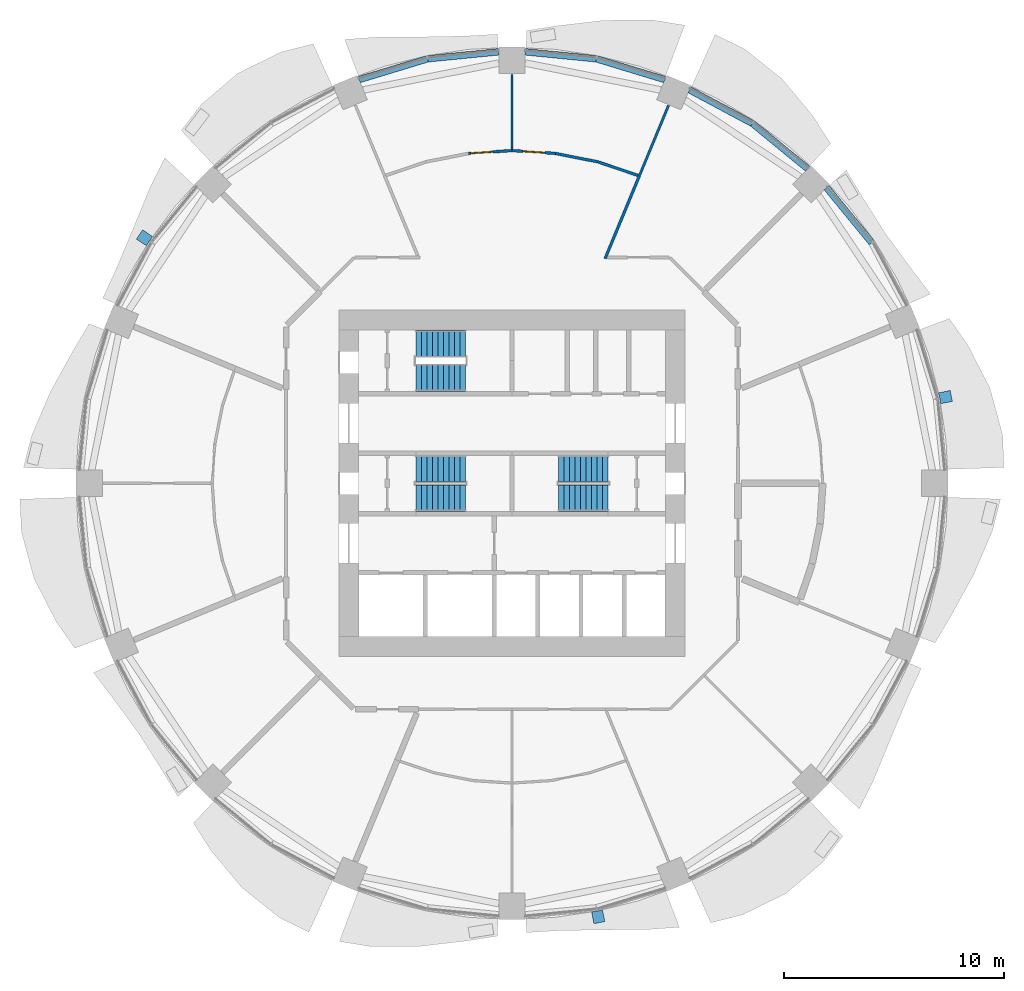
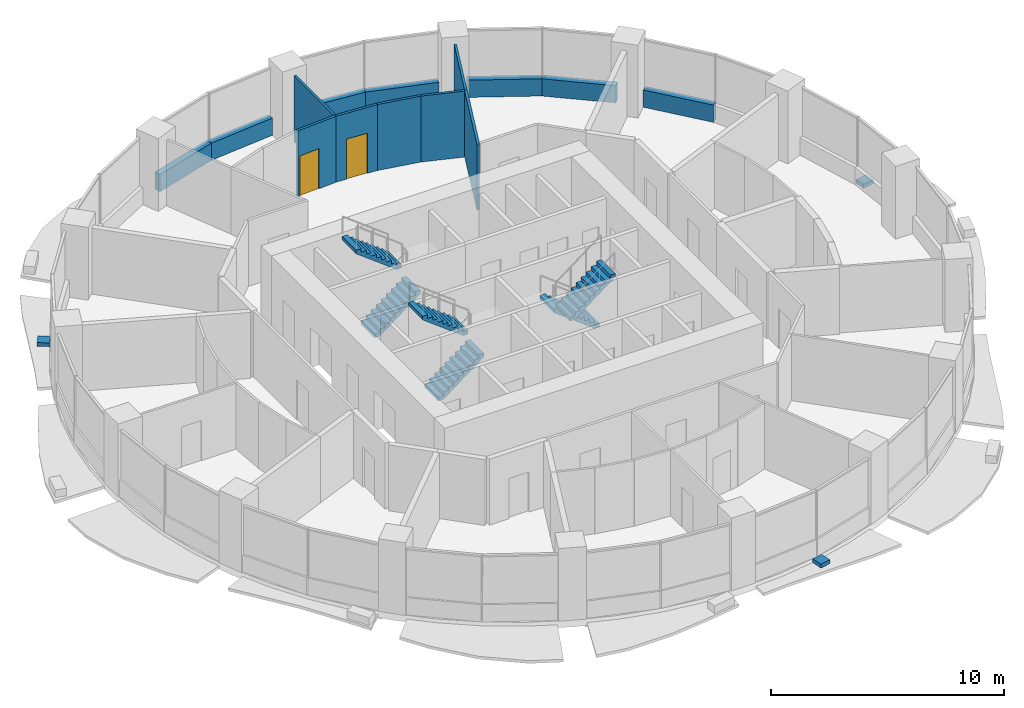
# One storey, part 11 of 15: 14 walls, 6 stair flights, 3 discrete accessories, 2 doors, 2 openings, 3 elements without a shape of their own.
"""IFC4 building model written with IfcOpenShell, lengths in metres."""

from ifc_helpers import new_model, si_unit, direction, frame, frame_2d, origin, place, context, subcontext, project, spatial, polyline, rectangle, outline, extrude, material, layer, layer_set, type_object, element, fill, aggregate, save


model = new_model("IFC4")

# Units and contexts
model_context = context("Model", 3, precision=1e-05, world=origin(), true_north=direction((0.0, 1.0)))
body_context = subcontext(model_context, "Body", "Model", "MODEL_VIEW")
ifc_project = project(units=[si_unit("LENGTHUNIT", "METRE"), si_unit("AREAUNIT", "SQUARE_METRE"), si_unit("VOLUMEUNIT", "CUBIC_METRE"), si_unit("PLANEANGLEUNIT", "RADIAN"), si_unit("MASSUNIT", "GRAM", prefix="KILO")], contexts=[model_context])

# Site, building, storey
site_placement = place(None, origin())
site = spatial("IfcSite", under=ifc_project, at=site_placement, CompositionType="ELEMENT")
building_placement = place(site_placement, origin())
building = spatial("IfcBuilding", under=site, at=building_placement, Name="Polderwave Tower", CompositionType="ELEMENT")
storey_placement = place(building_placement, frame((0.0, 0.0, 22.39990234375)))
storey = spatial("IfcBuildingStorey", under=building, at=storey_placement, Name="L05", CompositionType="ELEMENT", Elevation=22.39990234375)

# Walls
ifc_material_1 = material(Name="Concrete C50/60 (board-marked)", Category="concrete")
ifc_layer_1 = layer(ifc_material_1, 0.300048828125)
ifc_layer_set_1 = layer_set([ifc_layer_1], Name="Concrete spandrel upstand C50/60")
wall_type_1 = type_object("IfcWallType", Name="Concrete spandrel upstand C50/60", PredefinedType="SOLIDWALL", material=ifc_layer_set_1)
for number, where, z_axis, x_axis, name in (
    (1, (16.353515625, 10.944580078125, 0.0), (0.0, 0.0, 1.0), (-0.634098591004, 0.773252207812, 0.0), "Spandrel L05 2b"),
    (2, (13.439453125, 14.3076171875, 0.0), (0.0, 0.0, 1.0), (-0.773252207812, 0.634098591004, 0.0), "Spandrel L05 3a"),
    (3, (10.919921875, 16.3701171875, 0.0), (0.0, 0.0, 1.0), (-0.881960953585, 0.471322475968, 0.0), "Spandrel L05 3b"),
):
    element("IfcWall", number, at=place(storey_placement, frame(where, z_axis=z_axis, x_axis=x_axis)), inside=storey, type_object=wall_type_1, Name=name, PredefinedType="SOLIDWALL", context=body_context, shape_type="SweptSolid", body=[
        extrude(rectangle(XDim=3.2265625, YDim=0.300048828125, at=frame_2d((1.61328125, 0.0))), origin(), (0.0, 0.0, 1.0), 0.900146484375),
    ])
wall_1_placement = place(storey_placement, frame((6.940673828125, 18.3603515625, 0.0), z_axis=(0.0, 0.0, 1.0), x_axis=(-0.95687343998, 0.290505111592, 0.0)))
element("IfcWall", 4, at=wall_1_placement, inside=storey, type_object=wall_type_1, Name="Spandrel L05 4a", PredefinedType="SOLIDWALL", context=body_context, shape_type="SweptSolid", body=[
    extrude(rectangle(XDim=3.226318359375, YDim=0.300048828125, at=frame_2d((1.61328125, 0.0))), origin(), (0.0, 0.0, 1.0), 0.900146484375),
])
for number, where, z_axis, x_axis, name in (
    (5, (3.82421875, 19.303466796875, 0.0), (0.0, 0.0, 1.0), (-0.995196202537, 0.097900553906, 0.0), "Spandrel L05 4b"),
    (6, (-0.61279296875, 19.619384765625, 0.0), (0.0, 0.0, 1.0), (-0.995196202537, -0.097900553906, 0.0), "Spandrel L05 5a"),
):
    element("IfcWall", number, at=place(storey_placement, frame(where, z_axis=z_axis, x_axis=x_axis)), inside=storey, type_object=wall_type_1, Name=name, PredefinedType="SOLIDWALL", context=body_context, shape_type="SweptSolid", body=[
        extrude(rectangle(XDim=3.226806640625, YDim=0.300048828125, at=frame_2d((1.61328125, 0.0))), origin(), (0.0, 0.0, 1.0), 0.900146484375),
    ])
wall_2_placement = place(storey_placement, frame((-3.853515625, 19.297607421875, 0.0), z_axis=(0.0, 0.0, 1.0), x_axis=(-0.95687343998, -0.290505111592, 0.0)))
element("IfcWall", 7, at=wall_2_placement, inside=storey, type_object=wall_type_1, Name="Spandrel L05 5b", PredefinedType="SOLIDWALL", context=body_context, shape_type="SweptSolid", body=[
    extrude(rectangle(XDim=3.226318359375, YDim=0.300048828125, at=frame_2d((1.61328125, 0.0))), origin(), (0.0, 0.0, 1.0), 0.900146484375),
])
ifc_material_2 = material(Name="Fire-resisting board on steel studs", Category="steel")
ifc_layer_2 = layer(ifc_material_2, 0.125)
ifc_layer_set_2 = layer_set([ifc_layer_2], Name="Corridor wall 125 mm EI 60")
wall_type_2 = type_object("IfcWallType", Name="Corridor wall 125 mm EI 60", PredefinedType="PARTITIONING", material=ifc_layer_set_2)
wall_3_placement = place(storey_placement, frame((4.231689453125, 10.21630859375, 0.0), z_axis=(0.0, 0.0, 1.0), x_axis=(0.382703043877, 0.923871408913, 0.0)))
element("IfcWall", 8, at=wall_3_placement, inside=storey, type_object=wall_type_2, Name="IN-L05-W034", PredefinedType="PARTITIONING", context=body_context, shape_type="SweptSolid", body=[
    extrude(rectangle(XDim=4.072021484375, YDim=0.125, at=frame_2d((2.0361328125, 0.0))), origin(), (0.0, 0.0, 1.0), 3.4501953125),
])

# Wall, opening, door
wall_4_placement = place(storey_placement, frame((0.0, 15.1298828125, 0.0), z_axis=(0.0, 0.0, 1.0), x_axis=(0.997867521669, -0.065271810139, 0.0)))
wall_4 = element("IfcWall", 9, at=wall_4_placement, inside=storey, type_object=wall_type_2, Name="IN-L05-W035", PredefinedType="PARTITIONING", context=body_context, shape_type="SweptSolid", body=[
    extrude(rectangle(XDim=1.974853515625, YDim=0.125, at=frame_2d((0.9873046875, 0.0))), origin(), (0.0, 0.0, 1.0), 3.4501953125),
])
opening_1_placement = place(wall_4_placement, frame((0.5, 0.0, 0.0)))
opening_1 = element("IfcOpeningElement", 10, at=opening_1_placement, cuts=wall_4, Name="Opening L05-D64", PredefinedType="OPENING", context=body_context, shape_type="SweptSolid", body=[
    extrude(rectangle(XDim=1.0, YDim=2.10009765625, at=frame_2d((0.5, 1.050048828125))), frame((0.0, 0.072509765625, 0.0), z_axis=(0.0, -1.0, 0.0), x_axis=(1.0, 0.0, 0.0)), (0.0, 0.0, 1.0), 0.14501953125),
])
ifc_material_3 = material(Name="Timber fire door leaf", Category="wood")
door_type = type_object("IfcDoorType", Name="Fire door FD30S 1000 x 2100", OperationType="NOTDEFINED", PredefinedType="DOOR", material=ifc_material_3)
door_1_placement = place(opening_1_placement, origin())
door_1 = element("IfcDoor", 11, at=door_1_placement, inside=storey, type_object=door_type, Name="Door L05-D64", OperationType="SINGLE_SWING_RIGHT", OverallHeight=2.10009765625, OverallWidth=1.0, PredefinedType="DOOR", context=body_context, shape_type="SweptSolid", body=[
    extrude(rectangle(XDim=1.0, YDim=2.10009765625, at=frame_2d((0.5, 1.050048828125))), frame((0.0, 0.02490234375, 0.0), z_axis=(0.0, -1.0, 0.0), x_axis=(1.0, 0.0, 0.0)), (0.0, 0.0, 1.0), 0.050048828125),
])
fill(opening_1, door_1)

# Walls
wall_5_placement = place(storey_placement, frame((3.911865234375, 14.615234375, 0.0), z_axis=(0.0, 0.0, 1.0), x_axis=(-0.980780283586, 0.195115441032, 0.0)))
element("IfcWall", 12, at=wall_5_placement, inside=storey, type_object=wall_type_2, Name="IN-L05-W036", PredefinedType="PARTITIONING", context=body_context, shape_type="SweptSolid", body=[
    extrude(rectangle(XDim=1.970703125, YDim=0.125, at=frame_2d((0.9853515625, 0.0))), origin(), (0.0, 0.0, 1.0), 3.4501953125),
])
wall_6_placement = place(storey_placement, frame((5.726806640625, 13.999755859375, 0.0), z_axis=(0.0, 0.0, 1.0), x_axis=(-0.946902903594, 0.321519659064, 0.0)))
element("IfcWall", 13, at=wall_6_placement, inside=storey, type_object=wall_type_2, Name="IN-L05-W037", PredefinedType="PARTITIONING", context=body_context, shape_type="SweptSolid", body=[
    extrude(rectangle(XDim=1.908203125, YDim=0.125, at=frame_2d((0.9541015625, 0.0))), origin(), (0.0, 0.0, 1.0), 3.4501953125),
])

# Wall, opening, door
wall_7_placement = place(storey_placement, frame((-1.970703125, 15.0009765625, 0.0), z_axis=(0.0, 0.0, 1.0), x_axis=(0.997867521669, 0.065271810139, 0.0)))
wall_7 = element("IfcWall", 14, at=wall_7_placement, inside=storey, type_object=wall_type_2, Name="IN-L05-W041", PredefinedType="PARTITIONING", context=body_context, shape_type="SweptSolid", body=[
    extrude(rectangle(XDim=1.974853515625, YDim=0.125, at=frame_2d((0.9873046875, 0.0))), origin(), (0.0, 0.0, 1.0), 3.4501953125),
])
opening_2_placement = place(wall_7_placement, frame((0.10009765625, 0.0, 0.0)))
opening_2 = element("IfcOpeningElement", 15, at=opening_2_placement, cuts=wall_7, Name="Opening L05-D65", PredefinedType="OPENING", context=body_context, shape_type="SweptSolid", body=[
    extrude(rectangle(XDim=1.0, YDim=2.10009765625, at=frame_2d((0.5, 1.050048828125))), frame((0.0, 0.072509765625, 0.0), z_axis=(0.0, -1.0, 0.0), x_axis=(1.0, 0.0, 0.0)), (0.0, 0.0, 1.0), 0.14501953125),
])
door_2_placement = place(opening_2_placement, origin())
door_2 = element("IfcDoor", 16, at=door_2_placement, inside=storey, type_object=door_type, Name="Door L05-D65", OperationType="SINGLE_SWING_LEFT", OverallHeight=2.10009765625, OverallWidth=1.0, PredefinedType="DOOR", context=body_context, shape_type="SweptSolid", body=[
    extrude(rectangle(XDim=1.0, YDim=2.10009765625, at=frame_2d((0.5, 1.050048828125))), frame((0.0, 0.02490234375, 0.0), z_axis=(0.0, -1.0, 0.0), x_axis=(1.0, 0.0, 0.0)), (0.0, 0.0, 1.0), 0.050048828125),
])
fill(opening_2, door_2)

# Walls
ifc_material_4 = material(Name="Acoustic double plasterboard on steel studs", Category="steel")
ifc_layer_3 = layer(ifc_material_4, 0.110107421875)
ifc_layer_set_3 = layer_set([ifc_layer_3], Name="Partition 110 mm acoustic double board")
wall_type_3 = type_object("IfcWallType", Name="Partition 110 mm acoustic double board", PredefinedType="PARTITIONING", material=ifc_layer_set_3)
wall_8_placement = place(storey_placement, frame((5.7900390625, 13.978271484375, 0.0), z_axis=(0.0, 0.0, 1.0), x_axis=(0.382681133009, 0.923880484932, 0.0)))
element("IfcWall", 17, at=wall_8_placement, inside=storey, type_object=wall_type_3, Name="IN-L05-W033", PredefinedType="PARTITIONING", context=body_context, shape_type="SweptSolid", body=[
    extrude(rectangle(XDim=3.469970703125, YDim=0.110107421875, at=frame_2d((1.73486328125, 0.0))), origin(), (0.0, 0.0, 1.0), 3.4501953125),
])
wall_9_placement = place(storey_placement, frame((0.0, 15.1962890625, 0.0), z_axis=(0.0, 0.0, 1.0), x_axis=(0.0, 1.0, 0.0)))
element("IfcWall", 18, at=wall_9_placement, inside=storey, type_object=wall_type_3, Name="IN-L05-W038", PredefinedType="PARTITIONING", context=body_context, shape_type="SweptSolid", body=[
    extrude(rectangle(XDim=3.40380859375, YDim=0.110107421875, at=frame_2d((1.701904296875, 0.0))), origin(), (0.0, 0.0, 1.0), 3.4501953125),
])

# Stair, stair flights
ifc_material_5 = material(Name="Concrete C40/50", Category="concrete")
stair_type = type_object("IfcStairType", Name="Exit stair 1200 x 20 risers", PredefinedType="HALF_TURN_STAIR", material=ifc_material_5)
stair_1_placement = place(storey_placement, origin())
stair_1 = element("IfcStair", 19, at=stair_1_placement, inside=storey, type_object=stair_type, Name="L05 Exit stair A", PredefinedType="HALF_TURN_STAIR")
stair_flight_type = type_object("IfcStairFlightType", Name="Stair flight 1200", PredefinedType="STRAIGHT", material=ifc_material_5)
stair_flight_1_placement = place(storey_placement, frame((-4.3740234375, -0.675048828125, 0.0), z_axis=(0.0, 0.0, 1.0), x_axis=(1.0, 0.0, 0.0)))
stair_flight_1 = element("IfcStairFlight", 20, at=stair_flight_1_placement, type_object=stair_flight_type, Name="ST-A flight 1", NumberOfRisers=10, NumberOfTreads=9, PredefinedType="STRAIGHT", RiserHeight=0.19, TreadLength=0.25, context=body_context, shape_type="SweptSolid", body=[
    extrude(outline(polyline([(0.0, 0.0), (0.0, 0.18994140625), (0.25, 0.18994140625), (0.25, 0.3798828125), (0.5, 0.3798828125), (0.5, 0.570068359375), (0.75, 0.570068359375), (0.75, 0.760009765625), (1.0, 0.760009765625), (1.0, 0.949951171875), (1.25, 0.949951171875), (1.25, 1.139892578125), (1.5, 1.139892578125), (1.5, 1.330078125), (1.75, 1.330078125), (1.75, 1.52001953125), (2.0, 1.52001953125), (2.0, 1.7099609375), (2.25, 1.7099609375), (2.25, 1.89990234375), (2.25, 1.521728515625), (0.247802734375, 0.0), (0.0, 0.0)])), frame((0.0, 0.60009765625, 0.0), z_axis=(0.0, -1.0, 0.0), x_axis=(1.0, 0.0, 0.0)), (0.0, 0.0, 1.0), 1.199951171875),
])
stair_flight_2_placement = place(storey_placement, frame((-2.1240234375, 0.675048828125, 1.900146484375), z_axis=(0.0, 0.0, 1.0), x_axis=(-1.0, 0.0, 0.0)))
stair_flight_2 = element("IfcStairFlight", 21, at=stair_flight_2_placement, type_object=stair_flight_type, Name="ST-A flight 2", NumberOfRisers=10, NumberOfTreads=9, PredefinedType="STRAIGHT", RiserHeight=0.19, TreadLength=0.25, context=body_context, shape_type="SweptSolid", body=[
    extrude(outline(polyline([(0.0, 0.0), (0.0, 0.18994140625), (0.25, 0.18994140625), (0.25, 0.3798828125), (0.5, 0.3798828125), (0.5, 0.570068359375), (0.75, 0.570068359375), (0.75, 0.760009765625), (1.0, 0.760009765625), (1.0, 0.949951171875), (1.25, 0.949951171875), (1.25, 1.139892578125), (1.5, 1.139892578125), (1.5, 1.330078125), (1.75, 1.330078125), (1.75, 1.52001953125), (2.0, 1.52001953125), (2.0, 1.7099609375), (2.25, 1.7099609375), (2.25, 1.89990234375), (2.25, 1.521728515625), (0.247802734375, 0.0), (0.0, 0.0)])), frame((0.0, 0.60009765625, 0.0), z_axis=(0.0, -1.0, 0.0), x_axis=(1.0, 0.0, 0.0)), (0.0, 0.0, 1.0), 1.199951171875),
])
aggregate(stair_1, [stair_flight_1, stair_flight_2])

stair_2_placement = place(storey_placement, origin())
stair_2 = element("IfcStair", 22, at=stair_2_placement, inside=storey, type_object=stair_type, Name="L05 Exit stair B", PredefinedType="HALF_TURN_STAIR")
stair_flight_3_placement = place(storey_placement, frame((4.3740234375, 0.675048828125, 0.0), z_axis=(0.0, 0.0, 1.0), x_axis=(-1.0, 0.0, 0.0)))
stair_flight_3 = element("IfcStairFlight", 23, at=stair_flight_3_placement, type_object=stair_flight_type, Name="ST-B flight 1", NumberOfRisers=10, NumberOfTreads=9, PredefinedType="STRAIGHT", RiserHeight=0.19, TreadLength=0.25, context=body_context, shape_type="SweptSolid", body=[
    extrude(outline(polyline([(0.0, 0.0), (0.0, 0.18994140625), (0.25, 0.18994140625), (0.25, 0.3798828125), (0.5, 0.3798828125), (0.5, 0.570068359375), (0.75, 0.570068359375), (0.75, 0.760009765625), (1.0, 0.760009765625), (1.0, 0.949951171875), (1.25, 0.949951171875), (1.25, 1.139892578125), (1.5, 1.139892578125), (1.5, 1.330078125), (1.75, 1.330078125), (1.75, 1.52001953125), (2.0, 1.52001953125), (2.0, 1.7099609375), (2.25, 1.7099609375), (2.25, 1.89990234375), (2.25, 1.521728515625), (0.247802734375, 0.0), (0.0, 0.0)])), frame((0.0, 0.60009765625, 0.0), z_axis=(0.0, -1.0, 0.0), x_axis=(1.0, 0.0, 0.0)), (0.0, 0.0, 1.0), 1.199951171875),
])
stair_flight_4_placement = place(storey_placement, frame((2.1240234375, -0.675048828125, 1.900146484375), z_axis=(0.0, 0.0, 1.0), x_axis=(1.0, 0.0, 0.0)))
stair_flight_4 = element("IfcStairFlight", 24, at=stair_flight_4_placement, type_object=stair_flight_type, Name="ST-B flight 2", NumberOfRisers=10, NumberOfTreads=9, PredefinedType="STRAIGHT", RiserHeight=0.19, TreadLength=0.25, context=body_context, shape_type="SweptSolid", body=[
    extrude(outline(polyline([(0.0, 0.0), (0.0, 0.18994140625), (0.25, 0.18994140625), (0.25, 0.3798828125), (0.5, 0.3798828125), (0.5, 0.570068359375), (0.75, 0.570068359375), (0.75, 0.760009765625), (1.0, 0.760009765625), (1.0, 0.949951171875), (1.25, 0.949951171875), (1.25, 1.139892578125), (1.5, 1.139892578125), (1.5, 1.330078125), (1.75, 1.330078125), (1.75, 1.52001953125), (2.0, 1.52001953125), (2.0, 1.7099609375), (2.25, 1.7099609375), (2.25, 1.89990234375), (2.25, 1.521728515625), (0.247802734375, 0.0), (0.0, 0.0)])), frame((0.0, 0.60009765625, 0.0), z_axis=(0.0, -1.0, 0.0), x_axis=(1.0, 0.0, 0.0)), (0.0, 0.0, 1.0), 1.199951171875),
])
aggregate(stair_2, [stair_flight_3, stair_flight_4])

stair_3_placement = place(storey_placement, origin())
stair_3 = element("IfcStair", 25, at=stair_3_placement, inside=storey, type_object=stair_type, Name="L05 Exit stair C", PredefinedType="HALF_TURN_STAIR")
stair_flight_5_placement = place(storey_placement, frame((-4.3740234375, 4.77392578125, 0.0), z_axis=(0.0, 0.0, 1.0), x_axis=(1.0, 0.0, 0.0)))
stair_flight_5 = element("IfcStairFlight", 26, at=stair_flight_5_placement, type_object=stair_flight_type, Name="ST-C flight 1", NumberOfRisers=10, NumberOfTreads=9, PredefinedType="STRAIGHT", RiserHeight=0.19, TreadLength=0.25, context=body_context, shape_type="SweptSolid", body=[
    extrude(outline(polyline([(0.0, 0.0), (0.0, 0.18994140625), (0.25, 0.18994140625), (0.25, 0.3798828125), (0.5, 0.3798828125), (0.5, 0.570068359375), (0.75, 0.570068359375), (0.75, 0.760009765625), (1.0, 0.760009765625), (1.0, 0.949951171875), (1.25, 0.949951171875), (1.25, 1.139892578125), (1.5, 1.139892578125), (1.5, 1.330078125), (1.75, 1.330078125), (1.75, 1.52001953125), (2.0, 1.52001953125), (2.0, 1.7099609375), (2.25, 1.7099609375), (2.25, 1.89990234375), (2.25, 1.521728515625), (0.247802734375, 0.0), (0.0, 0.0)])), frame((0.0, 0.60009765625, 0.0), z_axis=(0.0, -1.0, 0.0), x_axis=(1.0, 0.0, 0.0)), (0.0, 0.0, 1.0), 1.199951171875),
])
stair_flight_6_placement = place(storey_placement, frame((-2.1240234375, 6.3740234375, 1.900146484375), z_axis=(0.0, 0.0, 1.0), x_axis=(-1.0, 0.0, 0.0)))
stair_flight_6 = element("IfcStairFlight", 27, at=stair_flight_6_placement, type_object=stair_flight_type, Name="ST-C flight 2", NumberOfRisers=10, NumberOfTreads=9, PredefinedType="STRAIGHT", RiserHeight=0.19, TreadLength=0.25, context=body_context, shape_type="SweptSolid", body=[
    extrude(outline(polyline([(0.0, 0.0), (0.0, 0.18994140625), (0.25, 0.18994140625), (0.25, 0.3798828125), (0.5, 0.3798828125), (0.5, 0.570068359375), (0.75, 0.570068359375), (0.75, 0.760009765625), (1.0, 0.760009765625), (1.0, 0.949951171875), (1.25, 0.949951171875), (1.25, 1.139892578125), (1.5, 1.139892578125), (1.5, 1.330078125), (1.75, 1.330078125), (1.75, 1.52001953125), (2.0, 1.52001953125), (2.0, 1.7099609375), (2.25, 1.7099609375), (2.25, 1.89990234375), (2.25, 1.521728515625), (0.247802734375, 0.0), (0.0, 0.0)])), frame((0.0, 0.60009765625, 0.0), z_axis=(0.0, -1.0, 0.0), x_axis=(1.0, 0.0, 0.0)), (0.0, 0.0, 1.0), 1.199951171875),
])
aggregate(stair_3, [stair_flight_5, stair_flight_6])

# Discrete accessories
ifc_material_6 = material(Name="Steel S355", Category="steel")
discrete_accessory_type = type_object("IfcDiscreteAccessoryType", Name="Band bracket pad", PredefinedType="BRACKET", material=ifc_material_6)
discrete_accessory_1_placement = place(storey_placement, frame((0.0, 0.0, -0.199951171875)))
element("IfcDiscreteAccessory", 28, at=discrete_accessory_1_placement, inside=storey, type_object=discrete_accessory_type, Name="Band bracket L05 1", PredefinedType="BRACKET", context=body_context, shape_type="SweptSolid", body=[
    extrude(outline(polyline([(19.485595703125, 3.621337890625), (19.448974609375, 3.86865234375), (19.38818359375, 4.111083984375), (19.92626953125, 4.22509765625), (20.0263671875, 3.7216796875), (19.485595703125, 3.621337890625)])), origin(), (0.0, 0.0, 1.0), 0.199951171875),
])
discrete_accessory_2_placement = place(storey_placement, frame((0.0, 0.0, -0.199951171875)))
element("IfcDiscreteAccessory", 29, at=discrete_accessory_2_placement, inside=storey, type_object=discrete_accessory_type, Name="Band bracket L05 7", PredefinedType="BRACKET", context=body_context, shape_type="SweptSolid", body=[
    extrude(outline(polyline([(-16.339111328125, 11.2177734375), (-16.488037109375, 11.01708984375), (-16.61669921875, 10.802490234375), (-17.07763671875, 11.102294921875), (-16.79248046875, 11.529052734375), (-16.339111328125, 11.2177734375)])), origin(), (0.0, 0.0, 1.0), 0.199951171875),
])
discrete_accessory_3_placement = place(storey_placement, frame((0.0, 0.0, -0.199951171875)))
element("IfcDiscreteAccessory", 30, at=discrete_accessory_3_placement, inside=storey, type_object=discrete_accessory_type, Name="Band bracket L05 13", PredefinedType="BRACKET", context=body_context, shape_type="SweptSolid", body=[
    extrude(outline(polyline([(3.621337890625, -19.485595703125), (3.86865234375, -19.448974609375), (4.111083984375, -19.38818359375), (4.22509765625, -19.92626953125), (3.7216796875, -20.0263671875), (3.621337890625, -19.485595703125)])), origin(), (0.0, 0.0, 1.0), 0.199951171875),
])

save(model, "model.ifc")
